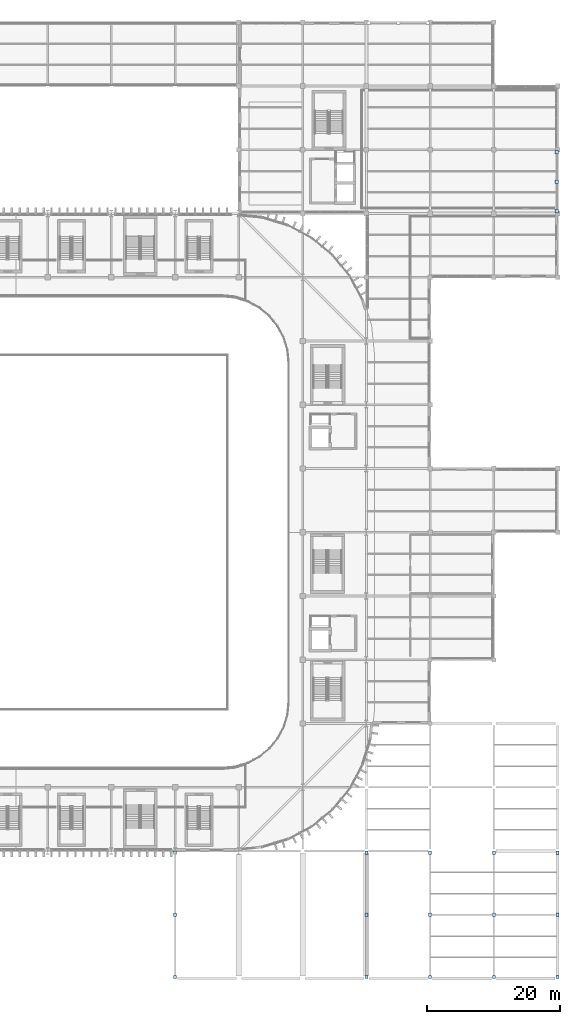
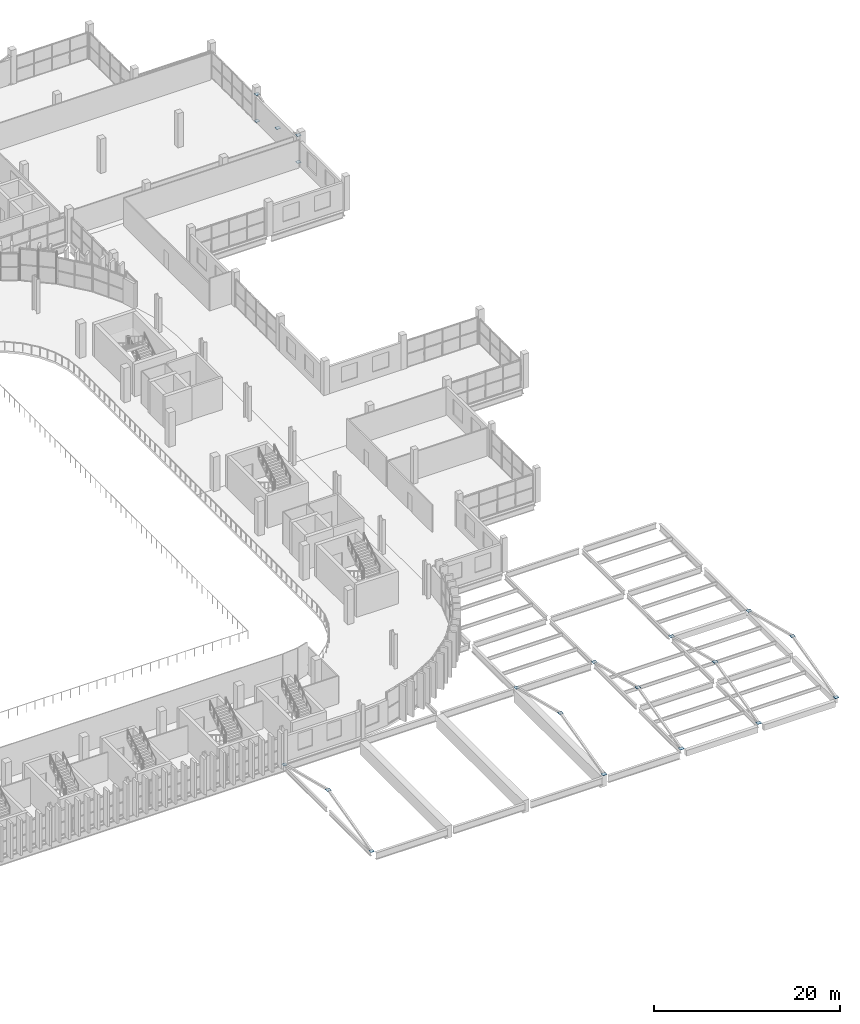
# One storey, part 44 of 75: 20 plates.
"""IFC4 building model written with IfcOpenShell, lengths in metres."""

from ifc_helpers import new_model, si_unit, direction, frame, origin, origin_2d, place, context, subcontext, project, spatial, rectangle, extrude, material, layer, layer_set, type_object, element, save


model = new_model("IFC4")

# Units and contexts
model_context = context("Model", 3, precision=1e-05, world=origin(), true_north=direction((0.0, 1.0)))
body_context = subcontext(model_context, "Body", "Model", "MODEL_VIEW")
ifc_project = project(units=[si_unit("LENGTHUNIT", "METRE"), si_unit("AREAUNIT", "SQUARE_METRE"), si_unit("VOLUMEUNIT", "CUBIC_METRE"), si_unit("PLANEANGLEUNIT", "RADIAN"), si_unit("MASSUNIT", "GRAM", prefix="KILO")], contexts=[model_context])

# Site, building, storey
site_placement = place(None, origin())
site = spatial("IfcSite", under=ifc_project, at=site_placement, CompositionType="ELEMENT")
building_placement = place(site_placement, origin())
building = spatial("IfcBuilding", under=site, at=building_placement, Name="Caelomonte Colonnade Arena", CompositionType="ELEMENT")
storey_placement = place(building_placement, frame((0.0, 0.0, 14.10009765625)))
storey = spatial("IfcBuildingStorey", under=building, at=storey_placement, Name="L03", CompositionType="ELEMENT", Elevation=14.10009765625)

# Plates
ifc_material = material(Name="Steel ASTM A572 Grade 50", Category="steel")
ifc_layer = layer(ifc_material, 0.02490234375)
ifc_layer_set = layer_set([ifc_layer], Name="Steel ASTM A572 Grade 50")
plate_type = type_object("IfcPlateType", Name="STR-PL-PN01", PredefinedType="USERDEFINED", material=ifc_layer_set)
for number, where, z_axis, x_axis, name in (
    (1, (134.39990234375, 0.25, -0.1650390625), (0.0, 0.0, 1.0), (1.0, 0.0, 0.0), "Pediment south eaves cap plate 134"),
    (2, (134.39990234375, 18.949951171875, -0.1650390625), (0.0, 0.0, 1.0), (1.0, 0.0, 0.0), "Pediment north eaves cap plate 134"),
    (3, (134.39990234375, 9.60009765625, 2.18505859375), (0.0, 0.0, 1.0), (1.0, 0.0, 0.0), "Pediment ridge node cap plate 134"),
    (4, (163.199951171875, 0.25, -0.1650390625), (0.0, 0.0, 1.0), (1.0, 0.0, 0.0), "Pediment south eaves cap plate 163"),
    (5, (163.199951171875, 18.949951171875, -0.1650390625), (0.0, 0.0, 1.0), (1.0, 0.0, 0.0), "Pediment north eaves cap plate 163"),
    (6, (163.199951171875, 9.60009765625, 2.18505859375), (0.0, 0.0, 1.0), (1.0, 0.0, 0.0), "Pediment ridge node cap plate 163"),
    (7, (172.800048828125, 0.25, -0.1650390625), (0.0, 0.0, 1.0), (1.0, 0.0, 0.0), "Pediment south eaves cap plate 172"),
    (8, (172.800048828125, 18.949951171875, -0.1650390625), (0.0, 0.0, 1.0), (1.0, 0.0, 0.0), "Pediment north eaves cap plate 172"),
    (9, (172.800048828125, 9.60009765625, 2.18505859375), (0.0, 0.0, 1.0), (1.0, 0.0, 0.0), "Pediment ridge node cap plate 172"),
    (10, (182.39990234375, 0.25, -0.1650390625), (0.0, 0.0, 1.0), (1.0, 0.0, 0.0), "Pediment south eaves cap plate 182"),
    (11, (182.39990234375, 18.949951171875, -0.1650390625), (0.0, 0.0, 1.0), (1.0, 0.0, 0.0), "Pediment north eaves cap plate 182"),
    (12, (182.39990234375, 9.60009765625, 2.18505859375), (0.0, 0.0, 1.0), (1.0, 0.0, 0.0), "Pediment ridge node cap plate 182"),
    (13, (192.0, 0.25, -0.1650390625), (0.0, 0.0, 1.0), (1.0, 0.0, 0.0), "Pediment south eaves cap plate 192"),
    (14, (192.0, 18.949951171875, -0.1650390625), (0.0, 0.0, 1.0), (1.0, 0.0, 0.0), "Pediment north eaves cap plate 192"),
    (15, (192.0, 9.60009765625, 2.18505859375), (0.0, 0.0, 1.0), (1.0, 0.0, 0.0), "Pediment ridge node cap plate 192"),
):
    element("IfcPlate", number, at=place(storey_placement, frame(where, z_axis=z_axis, x_axis=x_axis)), inside=storey, type_object=plate_type, Name=name, ObjectType="GUSSET PLATE", PredefinedType="USERDEFINED", context=body_context, shape_type="SweptSolid", body=[
        extrude(rectangle(XDim=0.47998046875, YDim=0.47998046875, at=origin_2d()), origin(), (0.0, 0.0, 1.0), 0.030029296875),
    ])
for number, where, z_axis, x_axis, name in (
    (16, (191.885009765625, 120.0, 1.907470703125), (0.0, 0.0, 1.0), (1.0, 0.0, 0.0), "Braced frame BF4 L03 gusset plate X"),
    (17, (191.885009765625, 115.56005859375, 0.1474609375), (0.0, 0.0, 1.0), (1.0, 0.0, 0.0), "Braced frame BF4 L03 gusset plate BL"),
    (18, (191.885009765625, 124.43994140625, 0.1474609375), (0.0, 0.0, 1.0), (1.0, 0.0, 0.0), "Braced frame BF4 L03 gusset plate BR"),
    (19, (191.885009765625, 115.56005859375, 3.66748046875), (0.0, 0.0, 1.0), (1.0, 0.0, 0.0), "Braced frame BF4 L03 gusset plate TL"),
    (20, (191.885009765625, 124.43994140625, 3.66748046875), (0.0, 0.0, 1.0), (1.0, 0.0, 0.0), "Braced frame BF4 L03 gusset plate TR"),
):
    element("IfcPlate", number, at=place(storey_placement, frame(where, z_axis=z_axis, x_axis=x_axis)), inside=storey, type_object=plate_type, Name=name, ObjectType="GUSSET PLATE", PredefinedType="USERDEFINED", context=body_context, shape_type="SweptSolid", body=[
        extrude(rectangle(XDim=0.47998046875, YDim=0.47998046875, at=origin_2d()), origin(), (0.0, 0.0, 1.0), 0.02490234375),
    ])

save(model, "model.ifc")
